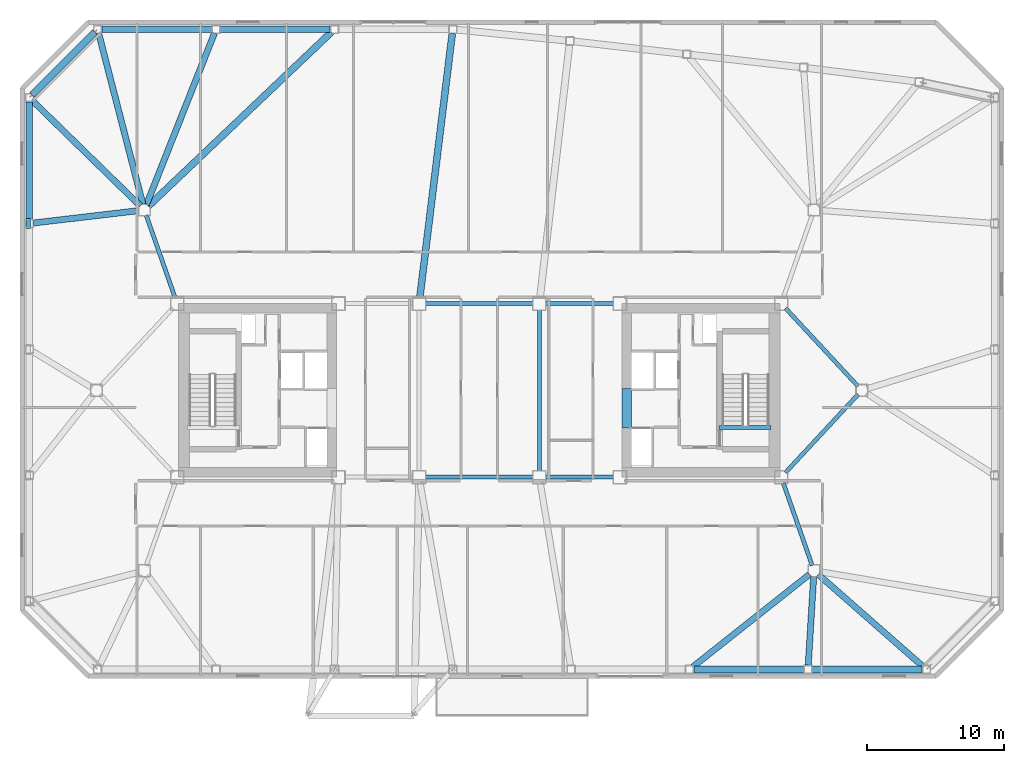
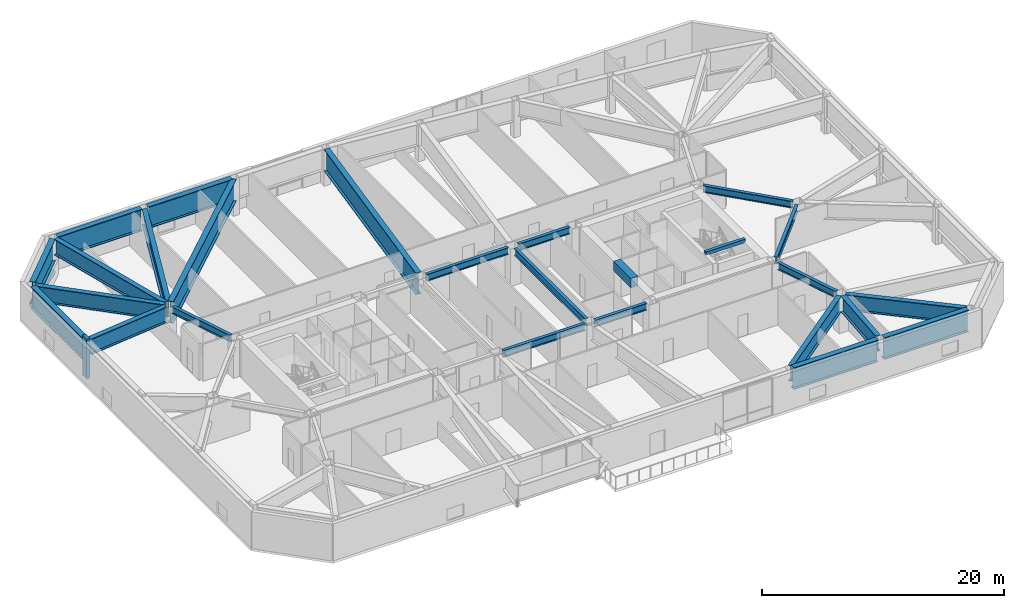
# One storey, part 5 of 18: 26 beams, 2 members.
"""IFC4 building model written with IfcOpenShell, lengths in metres."""

import ifcopenshell
import ifcopenshell.guid

model = None  # the IFC model being written
_history = None  # IfcOwnerHistory: only IFC2X3 demands one
_inside = {}  # id of a spatial element -> (the spatial element, [elements in it])
_under = {}  # id of a project, library or spatial element -> (it, [spatial elements below it])
_declared = {}  # id of a project -> (the project, [libraries it declares])
_typed = {}  # id of a type object -> (the type object, [elements of that type])
_made_of = {}  # id of a material, layer set ... -> (it, [elements and type objects made of it])


def new_model(schema):
    """Start an empty IFC model of exactly this schema.

    Asked for "IFC4X3", IfcOpenShell would pick the latest addendum, in which some entities
    have other attributes; the version numbers below select the first issue.
    IFC2X3 requires an IfcOwnerHistory on every rooted entity: one is made here for all.
    """
    global model, _history
    if schema == "IFC4X3":
        model = ifcopenshell.file(schema_version=(4, 3, 0, 0))
    else:
        model = ifcopenshell.file(schema=schema)
    _inside.clear()
    _under.clear()
    _declared.clear()
    _typed.clear()
    _made_of.clear()
    _history = None
    if model.schema == "IFC2X3":
        org = make("IfcOrganization", Name="unknown")
        user = make(
            "IfcPersonAndOrganization",
            ThePerson=make("IfcPerson", FamilyName="unknown"),
            TheOrganization=org,
        )
        app = make(
            "IfcApplication",
            ApplicationDeveloper=org,
            Version="unknown",
            ApplicationFullName="unknown",
            ApplicationIdentifier="unknown",
        )
        _history = make(
            "IfcOwnerHistory",
            OwningUser=user,
            OwningApplication=app,
            ChangeAction="ADDED",
            CreationDate=0,
        )
    return model


def make(cls, **values):
    """One entity of the class cls with the attributes given. An attribute that is None is left unset."""
    return model.create_entity(
        cls, **{name: value for name, value in values.items() if value is not None}
    )


def rooted(cls, **values):
    """An entity with a GlobalId (a new one), such as an element, a storey or a relation."""
    return make(cls, GlobalId=ifcopenshell.guid.new(), OwnerHistory=_history, **values)


def si_unit(unit_type, name, prefix=None):
    """IfcSIUnit, for example si_unit("LENGTHUNIT", "METRE", prefix="MILLI")."""
    return make("IfcSIUnit", UnitType=unit_type, Prefix=prefix, Name=name)


def assignment(units):
    """IfcUnitAssignment: the units of a project."""
    return None if units is None else make("IfcUnitAssignment", Units=units)


def point(xyz):
    """IfcCartesianPoint."""
    return None if xyz is None else make("IfcCartesianPoint", Coordinates=xyz)


def direction(xyz):
    """IfcDirection."""
    return None if xyz is None else make("IfcDirection", DirectionRatios=xyz)


def frame(location, z_axis=None, x_axis=None):
    """IfcAxis2Placement3D, a coordinate frame: its origin and axes. An axis left out is left unset."""
    return make(
        "IfcAxis2Placement3D",
        Location=point(location),
        Axis=direction(z_axis),
        RefDirection=direction(x_axis),
    )


def frame_2d(location, x_axis=None):
    """IfcAxis2Placement2D, a coordinate frame in the plane: its origin and x axis."""
    return make(
        "IfcAxis2Placement2D", Location=point(location), RefDirection=direction(x_axis)
    )


def origin():
    """The frame at (0, 0, 0) with its axes left unset."""
    return frame((0.0, 0.0, 0.0))


def origin_2d():
    """The frame at (0, 0) in the plane with its x axis left unset."""
    return frame_2d((0.0, 0.0))


def place(relative_to, where):
    """IfcLocalPlacement: puts the frame where relative to a parent placement (None: the world)."""
    return make(
        "IfcLocalPlacement", PlacementRelTo=relative_to, RelativePlacement=where
    )


def context(
    kind, dimensions, precision=None, world=None, true_north=None, identifier=None
):
    """IfcGeometricRepresentationContext, for example the 3D "Model" context."""
    return make(
        "IfcGeometricRepresentationContext",
        ContextIdentifier=identifier,
        ContextType=kind,
        CoordinateSpaceDimension=dimensions,
        Precision=precision,
        WorldCoordinateSystem=world,
        TrueNorth=true_north,
    )


def subcontext(parent, identifier, kind, view, scale=None):
    """IfcGeometricRepresentationSubContext, for example "Body" below "Model"."""
    return make(
        "IfcGeometricRepresentationSubContext",
        ContextIdentifier=identifier,
        ContextType=kind,
        ParentContext=parent,
        TargetScale=scale,
        TargetView=view,
    )


def project(units=None, contexts=None):
    """IfcProject with its units and contexts."""
    return rooted(
        "IfcProject",
        Name="project",
        RepresentationContexts=contexts,
        UnitsInContext=assignment(units),
    )


def spatial(cls, under=None, at=None, **own):
    """A site, building, storey or space (cls), placed at a placement, below another one or the project."""
    s = rooted(cls, ObjectPlacement=at, **own)
    if under is not None:
        _under.setdefault(under.id(), (under, []))[1].append(s)
    return s


def profile(cls, at=None, kind="AREA", **sizes):
    """A parametric profile (cls). Its sizes go by their IFC names, for example OverallWidth=200.0."""
    return make(cls, ProfileType=kind, Position=at, **sizes)


def rectangle(**sizes):
    """IfcRectangleProfileDef."""
    return profile("IfcRectangleProfileDef", **sizes)


def hollow_circle(**sizes):
    """IfcCircleHollowProfileDef."""
    return profile("IfcCircleHollowProfileDef", **sizes)


def i_section(**sizes):
    """IfcIShapeProfileDef."""
    return profile("IfcIShapeProfileDef", **sizes)


def extrude(swept, where, along, depth):
    """IfcExtrudedAreaSolid: the profile swept, set in the frame where, extruded along a direction by depth."""
    return make(
        "IfcExtrudedAreaSolid",
        SweptArea=swept,
        Position=where,
        ExtrudedDirection=direction(along),
        Depth=depth,
    )


def shape(context_of_items, identifier, shape_type, items):
    """IfcShapeRepresentation: the items that make up one representation, for example the "Body"."""
    return make(
        "IfcShapeRepresentation",
        ContextOfItems=context_of_items,
        RepresentationIdentifier=identifier,
        RepresentationType=shape_type,
        Items=items,
    )


def material(Name=None, Category=None):
    """IfcMaterial."""
    return make("IfcMaterial", Name=Name, Category=Category)


def material_profile(
    of_material, cross_section, Name=None, Category=None, Priority=None
):
    """IfcMaterialProfile: a cross section and its material."""
    return make(
        "IfcMaterialProfile",
        Name=Name,
        Material=of_material,
        Profile=cross_section,
        Priority=Priority,
        Category=Category,
    )


def profile_set(profiles, Name=None, composite=None):
    """IfcMaterialProfileSet."""
    return make(
        "IfcMaterialProfileSet",
        Name=Name,
        MaterialProfiles=profiles,
        CompositeProfile=composite,
    )


def made_of(thing, what):
    """Note that an element or type object is made of a material, layer set ...; save() writes the relation."""
    if what is not None:
        _made_of.setdefault(what.id(), (what, []))[1].append(thing)
    return thing


def type_object(cls, material=None, **own):
    """A type object (cls), such as IfcWallType, which elements share."""
    return made_of(rooted(cls, **own), material)


def element(
    cls,
    number,
    at=None,
    inside=None,
    cuts=None,
    type_object=None,
    material=None,
    context=None,
    identifier="Body",
    shape_type=None,
    held_by="IfcProductDefinitionShape",
    body=None,
    shapes=None,
    **own,
):
    """One element of the class cls, such as IfcWall. Its Tag is "e" and its number.

    at: its placement. inside: the storey or other place that contains it. cuts: it is an
    opening in that element (IfcRelVoidsElement). A single representation is given by context,
    identifier, shape_type and body (its items); several are given by shapes. held_by: the class
    of the entity that holds the representations. save() writes the other relations.
    """
    e = rooted(cls, Tag="e%d" % number, ObjectPlacement=at, **own)
    if body is not None:
        shapes = [shape(context, identifier, shape_type, body)]
    if shapes is not None:
        e.Representation = make(held_by, Representations=shapes)
    if inside is not None:
        _inside.setdefault(inside.id(), (inside, []))[1].append(e)
    if cuts is not None:
        rooted(
            "IfcRelVoidsElement", RelatingBuildingElement=cuts, RelatedOpeningElement=e
        )
    if type_object is not None:
        _typed.setdefault(type_object.id(), (type_object, []))[1].append(e)
    return made_of(e, material)


def aggregate(whole, parts):
    """IfcRelAggregates: a whole, such as a stair, and the parts it consists of."""
    return rooted("IfcRelAggregates", RelatingObject=whole, RelatedObjects=parts)


def save(model, path):
    """Write the relations noted so far, then the file.

    IfcRelAggregates (storeys below a building ...), IfcRelContainedInSpatialStructure (elements
    in a storey), IfcRelDefinesByType, IfcRelAssociatesMaterial and IfcRelDeclares: one each for
    every whole, place, type object, material and project.
    """
    for whole, parts in _under.values():
        aggregate(whole, parts)
    for where, things in _inside.values():
        rooted(
            "IfcRelContainedInSpatialStructure",
            RelatedElements=things,
            RelatingStructure=where,
        )
    for kind, things in _typed.values():
        rooted("IfcRelDefinesByType", RelatedObjects=things, RelatingType=kind)
    for what, things in _made_of.values():
        rooted("IfcRelAssociatesMaterial", RelatedObjects=things, RelatingMaterial=what)
    for by, libraries in _declared.values():
        rooted("IfcRelDeclares", RelatingContext=by, RelatedDefinitions=libraries)
    model.write(path)


model = new_model("IFC4")

# Units and contexts
model_context = context("Model", 3, precision=1e-05, world=origin(), true_north=direction((0.0, 1.0)))
body_context = subcontext(model_context, "Body", "Model", "MODEL_VIEW")
ifc_project = project(units=[si_unit("LENGTHUNIT", "METRE"), si_unit("AREAUNIT", "SQUARE_METRE"), si_unit("VOLUMEUNIT", "CUBIC_METRE"), si_unit("PLANEANGLEUNIT", "RADIAN"), si_unit("MASSUNIT", "GRAM", prefix="KILO")], contexts=[model_context])

# Site, building, storey
site_placement = place(None, origin())
site = spatial("IfcSite", under=ifc_project, at=site_placement, CompositionType="ELEMENT")
building_placement = place(site_placement, origin())
building = spatial("IfcBuilding", under=site, at=building_placement, Name="Tavrogorsk Clinical Tower", CompositionType="ELEMENT")
storey_placement = place(building_placement, frame((0.0, 0.0, 152.199951171875)))
storey = spatial("IfcBuildingStorey", under=building, at=storey_placement, Name="L34", CompositionType="ELEMENT", Elevation=152.199951171875)

# Beam
ifc_material_1 = material(Name="Concrete B80", Category="concrete")
ifc_material_profile_1 = material_profile(ifc_material_1, rectangle(XDim=0.699951171875, YDim=0.949951171875, at=origin_2d()), Name="RC-CB-700x950")
ifc_profile_set_1 = profile_set([ifc_material_profile_1], Name="Concrete B80")
beam_type_1 = type_object("IfcBeamType", Name="CouplingBeam_RC700x950", PredefinedType="LINTEL", material=ifc_profile_set_1)
beam_1_placement = place(storey_placement, frame((10.800048828125, -2.75, 3.26513671875), z_axis=(0.0, 1.0, 0.0), x_axis=(-1.0, 0.0, 0.0)))
element("IfcBeam", 1, at=beam_1_placement, inside=storey, type_object=beam_type_1, Name="L34 Core East Coupling Beam", PredefinedType="LINTEL", context=body_context, shape_type="SweptSolid", body=[
    extrude(rectangle(XDim=0.699951171875, YDim=0.949951171875, at=origin_2d()), origin(), (0.0, 0.0, 1.0), 2.89990234375),
])

# Members
ifc_material_2 = material(Name="Structural steel S440", Category="steel")
ifc_material_profile_2 = material_profile(ifc_material_2, hollow_circle(Radius=0.25390625, WallThickness=0.02001953125, at=origin_2d()), Name="CHS-508x20")
ifc_profile_set_2 = profile_set([ifc_material_profile_2], Name="Structural steel S440")
member_type_1 = type_object("IfcMemberType", Name="ExoBrace_CHS508", PredefinedType="BRACE", material=ifc_profile_set_2)
member_1_placement = place(storey_placement, frame((-28.134765625, 26.205322265625, 0.35107421875), z_axis=(-0.697299508861, -0.697299508861, 0.165972256369), x_axis=(0.707106781187, -0.707106781187, 0.0)))
element("IfcMember", 2, at=member_1_placement, inside=storey, type_object=member_type_1, Name="L34 Corner Exoskeleton Brace N8-W1", PredefinedType="BRACE", context=body_context, shape_type="SweptSolid", body=[
    extrude(hollow_circle(Radius=0.25390625, WallThickness=0.02001953125, at=origin_2d()), origin(), (0.0, 0.0, 1.0), 6.5546875),
])
ifc_material_3 = material(Name="Precast concrete B45 with limestone cladding", Category="masonry")
ifc_material_profile_3 = material_profile(ifc_material_3, rectangle(XDim=0.320068359375, YDim=0.719970703125, at=origin_2d()), Name="LIMESTONE-FIN-320x720")
ifc_profile_set_3 = profile_set([ifc_material_profile_3], Name="Precast concrete B45 with limestone cladding")
member_type_2 = type_object("IfcMemberType", Name="LimestonePleatFin_320x720", PredefinedType="USERDEFINED", material=ifc_profile_set_3)
member_2_placement = place(storey_placement, frame((-33.0, 12.2099609375, 0.0), z_axis=(0.0, 0.0, 1.0), x_axis=(1.0, 0.0, 0.0)))
element("IfcMember", 3, at=member_2_placement, inside=storey, type_object=member_type_2, Name="L34 W Pleated Stone Fin 1", ObjectType="FIN", PredefinedType="USERDEFINED", context=body_context, shape_type="SweptSolid", body=[
    extrude(rectangle(XDim=0.320068359375, YDim=0.719970703125, at=origin_2d()), origin(), (0.0, 0.0, 1.0), 4.0),
])

# Beams
ifc_material_4 = material(Name="Structural steel S390", Category="steel")
ifc_material_profile_4 = material_profile(ifc_material_4, i_section(OverallWidth=0.300048828125, OverallDepth=0.699951171875, WebThickness=0.01708984375, FlangeThickness=0.028076171875, at=origin_2d()), Name="B-700x300x17x28")
ifc_profile_set_4 = profile_set([ifc_material_profile_4], Name="Structural steel S390")
beam_type_2 = type_object("IfcBeamType", Name="PrimaryGirder_B700", PredefinedType="USERDEFINED", material=ifc_profile_set_4)
for number, where, z_axis, x_axis, name in (
    (4, (-3.93994140625, -6.35009765625, 3.39013671875), (1.0, 0.0, 0.0), (0.0, 1.0, 0.0), "L34 Primary Spine Girder MG-03"),
    (5, (-3.93994140625, 6.35009765625, 3.39013671875), (1.0, 0.0, 0.0), (0.0, 1.0, 0.0), "L34 Primary Spine Girder MG-04"),
):
    element("IfcBeam", number, at=place(storey_placement, frame(where, z_axis=z_axis, x_axis=x_axis)), inside=storey, type_object=beam_type_2, Name=name, ObjectType="GIRDER", PredefinedType="USERDEFINED", context=body_context, shape_type="SweptSolid", body=[
        extrude(i_section(OverallWidth=0.300048828125, OverallDepth=0.699951171875, WebThickness=0.01708984375, FlangeThickness=0.028076171875, at=origin_2d()), origin(), (0.0, 0.0, 1.0), 7.8798828125),
    ])
for number, where, z_axis, x_axis, name in (
    (6, (4.860107421875, -6.35009765625, 3.39013671875), (1.0, 0.0, 0.0), (0.0, 1.0, 0.0), "L34 Primary Spine Girder MG-05"),
    (7, (4.860107421875, 6.35009765625, 3.39013671875), (1.0, 0.0, 0.0), (0.0, 1.0, 0.0), "L34 Primary Spine Girder MG-06"),
):
    element("IfcBeam", number, at=place(storey_placement, frame(where, z_axis=z_axis, x_axis=x_axis)), inside=storey, type_object=beam_type_2, Name=name, ObjectType="GIRDER", PredefinedType="USERDEFINED", context=body_context, shape_type="SweptSolid", body=[
        extrude(i_section(OverallWidth=0.300048828125, OverallDepth=0.699951171875, WebThickness=0.01708984375, FlangeThickness=0.028076171875, at=origin_2d()), origin(), (0.0, 0.0, 1.0), 4.97998046875),
    ])
beam_2_placement = place(storey_placement, frame((4.39990234375, -5.889892578125, 3.39013671875), z_axis=(0.0, 1.0, 0.0), x_axis=(-1.0, 0.0, 0.0)))
element("IfcBeam", 8, at=beam_2_placement, inside=storey, type_object=beam_type_2, Name="L34 Primary Spine Girder MG-08", ObjectType="GIRDER", PredefinedType="USERDEFINED", context=body_context, shape_type="SweptSolid", body=[
    extrude(i_section(OverallWidth=0.300048828125, OverallDepth=0.699951171875, WebThickness=0.01708984375, FlangeThickness=0.028076171875, at=origin_2d()), origin(), (0.0, 0.0, 1.0), 11.77978515625),
])
for number, where, z_axis, x_axis, name in (
    (9, (24.364501953125, -12.81298828125, 3.39013671875), (-0.330660234815, 0.943749865755, 0.0), (-0.943749865755, -0.330660234815, 0.0), "L34 Spine Link Girder OPG-2"),
    (10, (-24.364501953125, 12.81298828125, 3.39013671875), (0.330660234815, -0.943749865755, 0.0), (0.943749865755, 0.330660234815, 0.0), "L34 Spine Link Girder OPG-3"),
):
    element("IfcBeam", number, at=place(storey_placement, frame(where, z_axis=z_axis, x_axis=x_axis)), inside=storey, type_object=beam_type_2, Name=name, ObjectType="GIRDER", PredefinedType="USERDEFINED", context=body_context, shape_type="SweptSolid", body=[
        extrude(i_section(OverallWidth=0.300048828125, OverallDepth=0.699951171875, WebThickness=0.01708984375, FlangeThickness=0.028076171875, at=origin_2d()), origin(), (0.0, 0.0, 1.0), 6.38818359375),
    ])
for number, where, z_axis, x_axis, name in (
    (11, (27.720947265625, -0.30029296875, 3.39013671875), (-0.680675630035, -0.732584934787, 0.0), (0.732584934787, -0.680675630035, 0.0), "L34 Spine Link Girder OPG-7"),
    (12, (27.720947265625, 0.30029296875, 3.39013671875), (-0.680675630035, 0.732584934787, 0.0), (-0.732584934787, -0.680675630035, 0.0), "L34 Spine Link Girder OPG-8"),
):
    element("IfcBeam", number, at=place(storey_placement, frame(where, z_axis=z_axis, x_axis=x_axis)), inside=storey, type_object=beam_type_2, Name=name, ObjectType="GIRDER", PredefinedType="USERDEFINED", context=body_context, shape_type="SweptSolid", body=[
        extrude(i_section(OverallWidth=0.300048828125, OverallDepth=0.699951171875, WebThickness=0.01708984375, FlangeThickness=0.028076171875, at=origin_2d()), origin(), (0.0, 0.0, 1.0), 7.7978515625),
    ])
ifc_material_5 = material(Name="Concrete B60", Category="concrete")
ifc_material_profile_5 = material_profile(ifc_material_5, rectangle(XDim=0.300048828125, YDim=0.35009765625, at=origin_2d()), Name="RC-SHB-300x350")
ifc_profile_set_5 = profile_set([ifc_material_profile_5], Name="Concrete B60")
beam_type_3 = type_object("IfcBeamType", Name="StairHeaderBeam_RC300x350", PredefinedType="BEAM", material=ifc_profile_set_5)
beam_3_placement = place(storey_placement, frame((17.550048828125, -2.719970703125, 3.824951171875), z_axis=(1.0, 0.0, 0.0), x_axis=(0.0, 1.0, 0.0)))
element("IfcBeam", 13, at=beam_3_placement, inside=storey, type_object=beam_type_3, Name="L35 ST-E Landing Header Beam", PredefinedType="BEAM", context=body_context, shape_type="SweptSolid", body=[
    extrude(rectangle(XDim=0.300048828125, YDim=0.35009765625, at=origin_2d()), origin(), (0.0, 0.0, 1.0), 3.800048828125),
])
ifc_material_6 = material(Name="Structural steel S440", Category="steel")
ifc_material_profile_6 = material_profile(ifc_material_6, i_section(OverallWidth=0.449951171875, OverallDepth=1.60009765625, WebThickness=0.031982421875, FlangeThickness=0.050048828125, at=origin_2d()), Name="DK-1600x450x32x50")
ifc_profile_set_6 = profile_set([ifc_material_profile_6], Name="Structural steel S440")
beam_type_4 = type_object("IfcBeamType", Name="TransferGirder_DK1600", PredefinedType="USERDEFINED", material=ifc_profile_set_6)
beam_4_placement = place(storey_placement, frame((24.1787109375, -13.454833984375, 2.93994140625), z_axis=(-0.783566094727, -0.621308438052, 0.0), x_axis=(0.621308438052, -0.783566094727, 0.0)))
element("IfcBeam", 14, at=beam_4_placement, inside=storey, type_object=beam_type_4, Name="L34 Radial Floor Beam S6", ObjectType="GIRDER", PredefinedType="USERDEFINED", context=body_context, shape_type="SweptSolid", body=[
    extrude(i_section(OverallWidth=0.449951171875, OverallDepth=1.60009765625, WebThickness=0.031982421875, FlangeThickness=0.050048828125, at=origin_2d()), origin(), (0.0, 0.0, 1.0), 10.902587890625),
])
beam_5_placement = place(storey_placement, frame((24.474853515625, -13.609130859375, 2.93994140625), z_axis=(-0.061225862048, -0.998123937102, 0.0), x_axis=(0.998123937102, -0.061225862048, 0.0)))
element("IfcBeam", 15, at=beam_5_placement, inside=storey, type_object=beam_type_4, Name="L34 Radial Floor Beam S7", ObjectType="GIRDER", PredefinedType="USERDEFINED", context=body_context, shape_type="SweptSolid", body=[
    extrude(i_section(OverallWidth=0.449951171875, OverallDepth=1.60009765625, WebThickness=0.031982421875, FlangeThickness=0.050048828125, at=origin_2d()), origin(), (0.0, 0.0, 1.0), 6.515625),
])
beam_6_placement = place(storey_placement, frame((24.80810546875, -13.470458984375, 2.93994140625), z_axis=(0.751316315352, -0.659942265874, 0.0), x_axis=(0.659942265874, 0.751316315352, 0.0)))
element("IfcBeam", 16, at=beam_6_placement, inside=storey, type_object=beam_type_4, Name="L34 Radial Floor Beam S8", ObjectType="GIRDER", PredefinedType="USERDEFINED", context=body_context, shape_type="SweptSolid", body=[
    extrude(i_section(OverallWidth=0.449951171875, OverallDepth=1.60009765625, WebThickness=0.031982421875, FlangeThickness=0.050048828125, at=origin_2d()), origin(), (0.0, 0.0, 1.0), 10.22265625),
])
beam_7_placement = place(storey_placement, frame((-24.348876953125, 13.5810546875, 2.93994140625), z_axis=(0.368655349184, 0.929566153384, 0.0), x_axis=(-0.929566153384, 0.368655349184, 0.0)))
element("IfcBeam", 17, at=beam_7_placement, inside=storey, type_object=beam_type_4, Name="L34 Radial Floor Beam N7", ObjectType="GIRDER", PredefinedType="USERDEFINED", context=body_context, shape_type="SweptSolid", body=[
    extrude(i_section(OverallWidth=0.449951171875, OverallDepth=1.60009765625, WebThickness=0.031982421875, FlangeThickness=0.050048828125, at=origin_2d()), origin(), (0.0, 0.0, 1.0), 13.50390625),
])
beam_8_placement = place(storey_placement, frame((-24.602783203125, 13.596923828125, 2.93994140625), z_axis=(-0.25044015559, 0.96813208214, 0.0), x_axis=(-0.96813208214, -0.25044015559, 0.0)))
element("IfcBeam", 18, at=beam_8_placement, inside=storey, type_object=beam_type_4, Name="L34 Radial Floor Beam N8", ObjectType="GIRDER", PredefinedType="USERDEFINED", context=body_context, shape_type="SweptSolid", body=[
    extrude(i_section(OverallWidth=0.449951171875, OverallDepth=1.60009765625, WebThickness=0.031982421875, FlangeThickness=0.050048828125, at=origin_2d()), origin(), (0.0, 0.0, 1.0), 12.937255859375),
])
beam_9_placement = place(storey_placement, frame((-24.79345703125, 13.486328125, 2.93994140625), z_axis=(-0.715551590144, 0.698559891378, 0.0), x_axis=(-0.698559891378, -0.715551590144, 0.0)))
element("IfcBeam", 19, at=beam_9_placement, inside=storey, type_object=beam_type_4, Name="L34 Radial Floor Beam W1", ObjectType="GIRDER", PredefinedType="USERDEFINED", context=body_context, shape_type="SweptSolid", body=[
    extrude(i_section(OverallWidth=0.449951171875, OverallDepth=1.60009765625, WebThickness=0.031982421875, FlangeThickness=0.050048828125, at=origin_2d()), origin(), (0.0, 0.0, 1.0), 11.049072265625),
])
beam_10_placement = place(storey_placement, frame((-24.9072265625, 13.152099609375, 2.93994140625), z_axis=(-0.993157045518, -0.116786484397, 0.0), x_axis=(0.116786484397, -0.993157045518, 0.0)))
element("IfcBeam", 20, at=beam_10_placement, inside=storey, type_object=beam_type_4, Name="L34 Radial Floor Beam W2", ObjectType="GIRDER", PredefinedType="USERDEFINED", context=body_context, shape_type="SweptSolid", body=[
    extrude(i_section(OverallWidth=0.449951171875, OverallDepth=1.60009765625, WebThickness=0.031982421875, FlangeThickness=0.050048828125, at=origin_2d()), origin(), (0.0, 0.0, 1.0), 7.759765625),
])
ifc_material_7 = material(Name="Structural steel S440", Category="steel")
ifc_material_profile_7 = material_profile(ifc_material_7, i_section(OverallWidth=0.5, OverallDepth=2.199951171875, WebThickness=0.035888671875, FlangeThickness=0.054931640625, at=origin_2d()), Name="DK-2200x500x36x55")
ifc_profile_set_7 = profile_set([ifc_material_profile_7], Name="Structural steel S440")
beam_type_5 = type_object("IfcBeamType", Name="TransferGirder_DK2200", PredefinedType="USERDEFINED", material=ifc_profile_set_7)
beam_11_placement = place(storey_placement, frame((15.702392578125, -20.419921875, 2.64013671875), z_axis=(1.0, 0.0, 0.0), x_axis=(0.0, 1.0, 0.0)))
element("IfcBeam", 21, at=beam_11_placement, inside=storey, type_object=beam_type_5, Name="L34 Perimeter Spandrel S6-S7", ObjectType="GIRDER", PredefinedType="USERDEFINED", context=body_context, shape_type="SweptSolid", body=[
    extrude(i_section(OverallWidth=0.5, OverallDepth=2.199951171875, WebThickness=0.035888671875, FlangeThickness=0.054931640625, at=origin_2d()), origin(), (0.0, 0.0, 1.0), 8.046630859375),
])
beam_12_placement = place(storey_placement, frame((24.364990234375, -20.419921875, 2.64013671875), z_axis=(1.0, 0.0, 0.0), x_axis=(0.0, 1.0, 0.0)))
element("IfcBeam", 22, at=beam_12_placement, inside=storey, type_object=beam_type_5, Name="L34 Perimeter Spandrel S7-S8", ObjectType="GIRDER", PredefinedType="USERDEFINED", context=body_context, shape_type="SweptSolid", body=[
    extrude(i_section(OverallWidth=0.5, OverallDepth=2.199951171875, WebThickness=0.035888671875, FlangeThickness=0.054931640625, at=origin_2d()), origin(), (0.0, 0.0, 1.0), 8.047119140625),
])
for number, where, z_axis, x_axis, name in (
    (23, (-10.90234375, 26.419921875, 2.64013671875), (-1.0, 0.0, 0.0), (0.0, -1.0, 0.0), "L34 Perimeter Spandrel N6-N7"),
    (24, (-19.565185546875, 26.419921875, 2.64013671875), (-1.0, 0.0, 0.0), (0.0, -1.0, 0.0), "L34 Perimeter Spandrel N7-N8"),
):
    element("IfcBeam", number, at=place(storey_placement, frame(where, z_axis=z_axis, x_axis=x_axis)), inside=storey, type_object=beam_type_5, Name=name, ObjectType="GIRDER", PredefinedType="USERDEFINED", context=body_context, shape_type="SweptSolid", body=[
        extrude(i_section(OverallWidth=0.5, OverallDepth=2.199951171875, WebThickness=0.035888671875, FlangeThickness=0.054931640625, at=origin_2d()), origin(), (0.0, 0.0, 1.0), 8.046875),
    ])
beam_13_placement = place(storey_placement, frame((-28.1376953125, 26.2021484375, 2.64013671875), z_axis=(-0.707106781187, -0.707106781187, 0.0), x_axis=(0.707106781187, -0.707106781187, 0.0)))
element("IfcBeam", 25, at=beam_13_placement, inside=storey, type_object=beam_type_5, Name="L34 Perimeter Spandrel N8-W1", ObjectType="GIRDER", PredefinedType="USERDEFINED", context=body_context, shape_type="SweptSolid", body=[
    extrude(i_section(OverallWidth=0.5, OverallDepth=2.199951171875, WebThickness=0.035888671875, FlangeThickness=0.054931640625, at=origin_2d()), origin(), (0.0, 0.0, 1.0), 6.455078125),
])
beam_14_placement = place(storey_placement, frame((-32.919921875, 21.112060546875, 2.64013671875), z_axis=(0.0, -1.0, 0.0), x_axis=(1.0, 0.0, 0.0)))
element("IfcBeam", 26, at=beam_14_placement, inside=storey, type_object=beam_type_5, Name="L34 Perimeter Spandrel W1-W2", ObjectType="GIRDER", PredefinedType="USERDEFINED", context=body_context, shape_type="SweptSolid", body=[
    extrude(i_section(OverallWidth=0.5, OverallDepth=2.199951171875, WebThickness=0.035888671875, FlangeThickness=0.054931640625, at=origin_2d()), origin(), (0.0, 0.0, 1.0), 8.593994140625),
])
beam_15_placement = place(storey_placement, frame((-4.34375, 6.806640625, 2.64013671875), z_axis=(0.12207588796, 0.992520769344, 0.0), x_axis=(-0.992520769344, 0.12207588796, 0.0)))
element("IfcBeam", 27, at=beam_15_placement, inside=storey, type_object=beam_type_5, Name="L34 Radial Floor Beam N5", ObjectType="GIRDER", PredefinedType="USERDEFINED", context=body_context, shape_type="SweptSolid", body=[
    extrude(i_section(OverallWidth=0.5, OverallDepth=2.199951171875, WebThickness=0.035888671875, FlangeThickness=0.054931640625, at=origin_2d()), origin(), (0.0, 0.0, 1.0), 19.453125),
])
beam_16_placement = place(storey_placement, frame((-24.202880859375, 13.482421875, 2.64013671875), z_axis=(0.724746572965, 0.689015533189, 0.0), x_axis=(-0.689015533189, 0.724746572965, 0.0)))
element("IfcBeam", 28, at=beam_16_placement, inside=storey, type_object=beam_type_5, Name="L34 Radial Floor Beam N6", ObjectType="GIRDER", PredefinedType="USERDEFINED", context=body_context, shape_type="SweptSolid", body=[
    extrude(i_section(OverallWidth=0.5, OverallDepth=2.199951171875, WebThickness=0.035888671875, FlangeThickness=0.054931640625, at=origin_2d()), origin(), (0.0, 0.0, 1.0), 18.468994140625),
])

save(model, "model.ifc")
